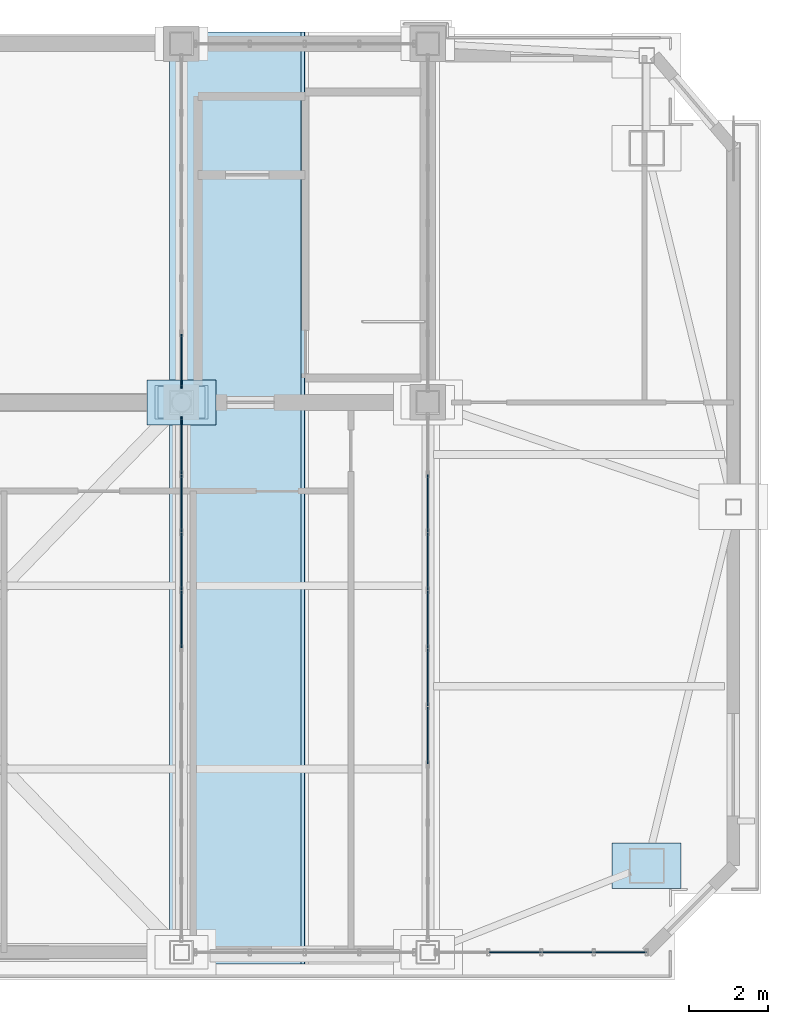
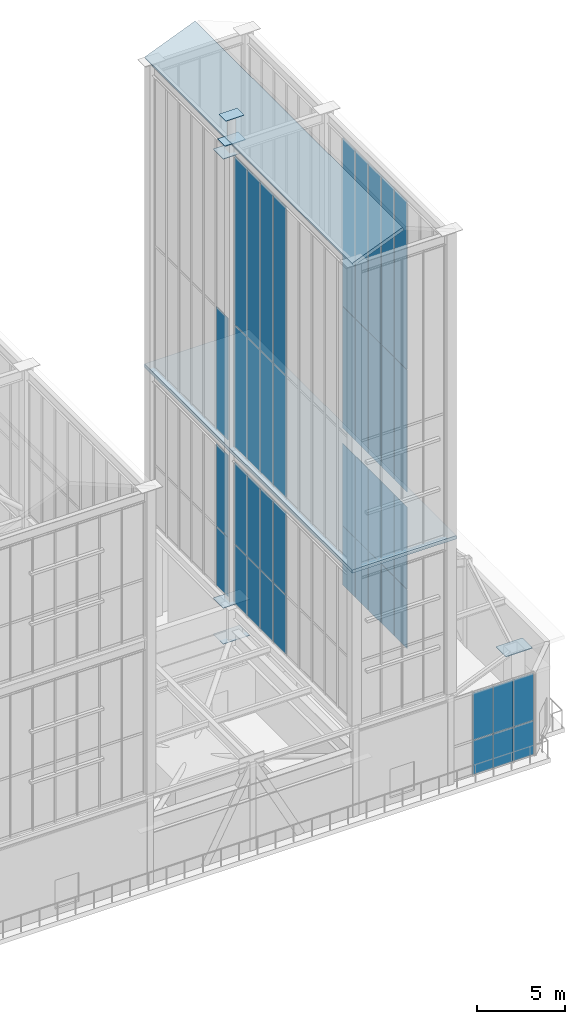
# One storey, part 128 of 135: 51 plates, 2 slabs, 7 elements without a shape of their own.
"""IFC4 building model written with IfcOpenShell, lengths in metres."""

from ifc_helpers import new_model, si_unit, direction, frame, origin, origin_2d, place, context, subcontext, project, spatial, polyline, rectangle, outline, extrude, source, transform, mapped, material, layer, layer_set, type_object, element, aggregate, save


model = new_model("IFC4")

# Units and contexts
model_context = context("Model", 3, precision=1e-05, world=origin(), true_north=direction((0.0, 1.0)))
body_context = subcontext(model_context, "Body", "Model", "MODEL_VIEW")
ifc_project = project(units=[si_unit("LENGTHUNIT", "METRE"), si_unit("AREAUNIT", "SQUARE_METRE"), si_unit("VOLUMEUNIT", "CUBIC_METRE"), si_unit("PLANEANGLEUNIT", "RADIAN"), si_unit("MASSUNIT", "GRAM", prefix="KILO")], contexts=[model_context])

# Site, building, storey
site_placement = place(None, origin())
site = spatial("IfcSite", under=ifc_project, at=site_placement, CompositionType="ELEMENT")
building_placement = place(site_placement, origin())
building = spatial("IfcBuilding", under=site, at=building_placement, Name="Giltprow Tower", CompositionType="ELEMENT")
storey_placement = place(building_placement, frame((0.0, 0.0, 352.699951171875)))
storey = spatial("IfcBuildingStorey", under=building, at=storey_placement, Name="L92", CompositionType="ELEMENT", Elevation=352.699951171875)

# Slabs
ifc_material_1 = material(Name="Concrete C40", Category="concrete")
ifc_layer_1 = layer(ifc_material_1, 0.239990234375, Name="Concrete C40")
ifc_layer_set_1 = layer_set([ifc_layer_1], Name="Concrete C40")
slab_type_1 = type_object("IfcSlabType", Name="SLB-CRN-DECK-240", PredefinedType="USERDEFINED", material=ifc_layer_set_1)
slab_1_placement = place(storey_placement, frame((0.0, 0.0, 17.06005859375)))
element("IfcSlab", 1, at=slab_1_placement, inside=storey, type_object=slab_type_1, Name="Crown East Lantern Plant Deck", ObjectType="PLANT_DECK", PredefinedType="USERDEFINED", context=body_context, shape_type="SweptSolid", body=[
    extrude(outline(polyline([(44.0, 23.199951171875), (50.85009765625, 23.199951171875), (50.85009765625, 46.85009765625), (44.0, 46.85009765625), (44.0, 23.199951171875)])), origin(), (0.0, 0.0, 1.0), 0.239990234375),
])
ifc_layer_2 = layer(ifc_material_1, 0.25, Name="Concrete C40")
ifc_layer_set_2 = layer_set([ifc_layer_2], Name="Concrete C40")
slab_type_2 = type_object("IfcSlabType", Name="SLB-CRN-ROOF-250", PredefinedType="ROOF", material=ifc_layer_set_2)
slab_2_placement = place(storey_placement, frame((44.0, 23.199951171875, 38.615966796875), z_axis=(-0.374567672974, 0.0, 0.927199578496), x_axis=(0.927199578496, 0.0, 0.374567672974)))
element("IfcSlab", 2, at=slab_2_placement, inside=storey, type_object=slab_type_2, Name="Crown East Pitched Roof Slab West", PredefinedType="ROOF", context=body_context, shape_type="SweptSolid", body=[
    extrude(outline(polyline([(0.0, 0.0), (3.588121019503059, 0.0), (3.588121019503059, 23.650146484375), (0.0, 23.650146484375), (0.0, 0.0)])), origin(), (0.0, 0.0, -1.0), 0.25),
])

# Plates
ifc_material_2 = material(Name="Structural steel Q420GJC", Category="steel")
plate_type_1 = type_object("IfcPlateType", Name="PLT-CAP-SEAL-INT", PredefinedType="USERDEFINED", material=ifc_material_2)
shared_shape_1 = source(origin(), body_context, "Body", "SweptSolid", [
    extrude(rectangle(XDim=1.75, YDim=1.14990234375, at=origin_2d()), origin(), (0.0, 0.0, 1.0), 0.0400390625),
])
for number, where, z_axis, x_axis, name in (
    (3, (56.10009765625, 25.699951171875, 6.14013671875), (0.0, 0.0, 1.0), (1.0, 0.0, 0.0), "L92 Column Top Seal Plate MC_SE"),
    (4, (44.300048828125, 37.449951171875, 4.030029296875), (0.0, 0.0, 1.0), (1.0, 0.0, 0.0), "TMD Strut Upper Seal 3"),
    (5, (44.300048828125, 37.449951171875, 6.530029296875), (0.0, 0.0, 1.0), (1.0, 0.0, 0.0), "Crown Brace Lower Seal Plate EAST-1"),
    (6, (44.300048828125, 37.449951171875, 37.74609375), (0.0, 0.0, 1.0), (1.0, 0.0, 0.0), "Crown Brace Upper Seal Plate EAST-2"),
):
    element("IfcPlate", number, at=place(storey_placement, frame(where, z_axis=z_axis, x_axis=x_axis)), inside=storey, type_object=plate_type_1, Name=name, ObjectType="SPLICE", PredefinedType="USERDEFINED", context=body_context, shape_type="MappedRepresentation", body=[
        mapped(shared_shape_1, transform((0.0, 0.0, 0.0), x_axis=(1.0, 0.0, 0.0), y_axis=(0.0, 1.0, 0.0), z_axis=(0.0, 0.0, 1.0), scale=1.0)),
    ])
plate_type_2 = type_object("IfcPlateType", Name="PLT-CAP-SEAL", PredefinedType="USERDEFINED", material=ifc_material_2)
shared_shape_2 = source(origin(), body_context, "Body", "SweptSolid", [
    extrude(rectangle(XDim=1.199951171875, YDim=0.800048828125, at=origin_2d()), origin(), (0.0, 0.0, 1.0), 0.034912109375),
])
plate_1_placement = place(storey_placement, frame((44.300048828125, 37.449951171875, 40.1826171875), z_axis=(0.0, 0.0, 1.0), x_axis=(1.0, 0.0, 0.0)))
element("IfcPlate", 7, at=plate_1_placement, inside=storey, type_object=plate_type_2, Name="Crown Finial Mast Top Cap Plate", ObjectType="SPLICE", PredefinedType="USERDEFINED", context=body_context, shape_type="MappedRepresentation", body=[
    mapped(shared_shape_2, transform((0.0, 0.0, 0.0), x_axis=(1.0, 0.0, 0.0), y_axis=(0.0, 1.0, 0.0), z_axis=(0.0, 0.0, 1.0), scale=1.0)),
])
plate_type_3 = type_object("IfcPlateType", Name="PLT-NODE-CRN1", PredefinedType="USERDEFINED", material=ifc_material_2)
shared_shape_3 = source(origin(), body_context, "Body", "SweptSolid", [
    extrude(rectangle(XDim=1.35009765625, YDim=0.85009765625, at=origin_2d()), origin(), (0.0, 0.0, 1.0), 0.035888671875),
])
plate_2_placement = place(storey_placement, frame((44.300048828125, 37.449951171875, 38.47802734375), z_axis=(0.0, 0.0, 1.0), x_axis=(1.0, 0.0, 0.0)))
element("IfcPlate", 8, at=plate_2_placement, inside=storey, type_object=plate_type_3, Name="CRN1 Crown Frame Ring Node EAST-6", ObjectType="SPLICE", PredefinedType="USERDEFINED", context=body_context, shape_type="MappedRepresentation", body=[
    mapped(shared_shape_3, transform((0.0, 0.0, 0.0), x_axis=(1.0, 0.0, 0.0), y_axis=(0.0, 1.0, 0.0), z_axis=(0.0, 0.0, 1.0), scale=1.0)),
])

# Curtain wall, plates
ifc_material_3 = material(Name="Anodized bronze", Category="metal")
ifc_layer_3 = layer(ifc_material_3, 0.179931640625, Name="Anodized bronze")
ifc_layer_set_3 = layer_set([ifc_layer_3], Name="Anodized bronze")
curtain_wall_type = type_object("IfcCurtainWallType", Name="CW-CROWN-LANTERN", PredefinedType="NOTDEFINED", material=ifc_layer_set_3)
curtain_wall_1_placement = place(storey_placement, origin())
curtain_wall_1 = element("IfcCurtainWall", 9, at=curtain_wall_1_placement, inside=storey, type_object=curtain_wall_type, Name="L92 South Recessed Curtain Wall 6", PredefinedType="NOTDEFINED")
ifc_material_4 = material(Name="Insulated glass", Category="glass")
plate_type_4 = type_object("IfcPlateType", Name="CW-PANEL-IGU-28", PredefinedType="CURTAIN_PANEL", material=ifc_material_4)
shared_shape_4 = source(origin(), body_context, "Body", "SweptSolid", [
    extrude(rectangle(XDim=1.306884765625, YDim=0.028076171875, at=origin_2d()), origin(), (0.0, 0.0, 1.0), 2.364013671875),
])
plate_3_placement = place(storey_placement, frame((54.093994140625, 23.5, 0.05419921875), z_axis=(0.0, 0.0, 1.0), x_axis=(1.0, 0.0, 0.0)))
plate_3 = element("IfcPlate", 10, at=plate_3_placement, type_object=plate_type_4, Name="L92 South Recessed Curtain Wall 6 Glazing Panel 3-1", PredefinedType="CURTAIN_PANEL", context=body_context, shape_type="MappedRepresentation", body=[
    mapped(shared_shape_4, transform((0.0, 0.0, 0.0), x_axis=(1.0, 0.0, 0.0), y_axis=(0.0, 1.0, 0.0), z_axis=(0.0, 0.0, 1.0), scale=1.0)),
])
plate_4_placement = place(storey_placement, frame((55.430908203125, 23.5, 0.05419921875), z_axis=(0.0, 0.0, 1.0), x_axis=(1.0, 0.0, 0.0)))
plate_4 = element("IfcPlate", 11, at=plate_4_placement, type_object=plate_type_4, Name="L92 South Recessed Curtain Wall 6 Glazing Panel 4-1", PredefinedType="CURTAIN_PANEL", context=body_context, shape_type="MappedRepresentation", body=[
    mapped(shared_shape_4, transform((0.0, 0.0, 0.0), x_axis=(1.0, 0.0, 0.0), y_axis=(0.0, 1.0, 0.0), z_axis=(0.0, 0.0, 1.0), scale=1.0)),
])
shared_shape_5 = source(origin(), body_context, "Body", "SweptSolid", [
    extrude(rectangle(XDim=1.306884765625, YDim=0.028076171875, at=origin_2d()), origin(), (0.0, 0.0, 1.0), 3.2900390625),
])
plate_5_placement = place(storey_placement, frame((54.093994140625, 23.5, 2.446044921875), z_axis=(0.0, 0.0, 1.0), x_axis=(1.0, 0.0, 0.0)))
plate_5 = element("IfcPlate", 12, at=plate_5_placement, type_object=plate_type_4, Name="L92 South Recessed Curtain Wall 6 Glazing Panel 3-2", PredefinedType="CURTAIN_PANEL", context=body_context, shape_type="MappedRepresentation", body=[
    mapped(shared_shape_5, transform((0.0, 0.0, 0.0), x_axis=(1.0, 0.0, 0.0), y_axis=(0.0, 1.0, 0.0), z_axis=(0.0, 0.0, 1.0), scale=1.0)),
])
plate_6_placement = place(storey_placement, frame((55.430908203125, 23.5, 2.446044921875), z_axis=(0.0, 0.0, 1.0), x_axis=(1.0, 0.0, 0.0)))
plate_6 = element("IfcPlate", 13, at=plate_6_placement, type_object=plate_type_4, Name="L92 South Recessed Curtain Wall 6 Glazing Panel 4-2", PredefinedType="CURTAIN_PANEL", context=body_context, shape_type="MappedRepresentation", body=[
    mapped(shared_shape_5, transform((0.0, 0.0, 0.0), x_axis=(1.0, 0.0, 0.0), y_axis=(0.0, 1.0, 0.0), z_axis=(0.0, 0.0, 1.0), scale=1.0)),
])
shared_shape_6 = source(origin(), body_context, "Body", "SweptSolid", [
    extrude(rectangle(XDim=1.30810546875, YDim=0.028076171875, at=origin_2d()), origin(), (0.0, 0.0, 1.0), 2.364013671875),
])
plate_7_placement = place(storey_placement, frame((52.756103515625, 23.5, 0.05419921875), z_axis=(0.0, 0.0, 1.0), x_axis=(1.0, 0.0, 0.0)))
plate_7 = element("IfcPlate", 14, at=plate_7_placement, type_object=plate_type_4, Name="L92 South Recessed Curtain Wall 6 Glazing Panel 2-1", PredefinedType="CURTAIN_PANEL", context=body_context, shape_type="MappedRepresentation", body=[
    mapped(shared_shape_6, transform((0.0, 0.0, 0.0), x_axis=(1.0, 0.0, 0.0), y_axis=(0.0, 1.0, 0.0), z_axis=(0.0, 0.0, 1.0), scale=1.0)),
])
shared_shape_7 = source(origin(), body_context, "Body", "SweptSolid", [
    extrude(rectangle(XDim=1.30810546875, YDim=0.028076171875, at=origin_2d()), origin(), (0.0, 0.0, 1.0), 3.2900390625),
])
plate_8_placement = place(storey_placement, frame((52.756103515625, 23.5, 2.446044921875), z_axis=(0.0, 0.0, 1.0), x_axis=(1.0, 0.0, 0.0)))
plate_8 = element("IfcPlate", 15, at=plate_8_placement, type_object=plate_type_4, Name="L92 South Recessed Curtain Wall 6 Glazing Panel 2-2", PredefinedType="CURTAIN_PANEL", context=body_context, shape_type="MappedRepresentation", body=[
    mapped(shared_shape_7, transform((0.0, 0.0, 0.0), x_axis=(1.0, 0.0, 0.0), y_axis=(0.0, 1.0, 0.0), z_axis=(0.0, 0.0, 1.0), scale=1.0)),
])
aggregate(curtain_wall_1, [plate_7, plate_8, plate_3, plate_5, plate_4, plate_6])

curtain_wall_2_placement = place(storey_placement, origin())
curtain_wall_2 = element("IfcCurtainWall", 16, at=curtain_wall_2_placement, inside=storey, type_object=curtain_wall_type, Name="Crown East Lower Lantern Glazing 2", PredefinedType="NOTDEFINED")
shared_shape_8 = source(origin(), body_context, "Body", "SweptSolid", [
    extrude(rectangle(XDim=1.44189453125, YDim=0.028076171875, at=origin_2d()), origin(), (0.0, 0.0, 1.0), 4.111083984375),
])
plate_9_placement = place(storey_placement, frame((50.550048828125, 29.0029296875, 6.45361328125), z_axis=(0.0, 0.0, 1.0), x_axis=(0.0, 1.0, 0.0)))
plate_9 = element("IfcPlate", 17, at=plate_9_placement, type_object=plate_type_4, Name="Crown East Lower Lantern Glazing 2 Glazing Panel 4-1", PredefinedType="CURTAIN_PANEL", context=body_context, shape_type="MappedRepresentation", body=[
    mapped(shared_shape_8, transform((0.0, 0.0, 0.0), x_axis=(1.0, 0.0, 0.0), y_axis=(0.0, 1.0, 0.0), z_axis=(0.0, 0.0, 1.0), scale=1.0)),
])
plate_10_placement = place(storey_placement, frame((50.550048828125, 30.47509765625, 6.45361328125), z_axis=(0.0, 0.0, 1.0), x_axis=(0.0, 1.0, 0.0)))
plate_10 = element("IfcPlate", 18, at=plate_10_placement, type_object=plate_type_4, Name="Crown East Lower Lantern Glazing 2 Glazing Panel 5-1", PredefinedType="CURTAIN_PANEL", context=body_context, shape_type="MappedRepresentation", body=[
    mapped(shared_shape_8, transform((0.0, 0.0, 0.0), x_axis=(1.0, 0.0, 0.0), y_axis=(0.0, 1.0, 0.0), z_axis=(0.0, 0.0, 1.0), scale=1.0)),
])
plate_11_placement = place(storey_placement, frame((50.550048828125, 31.947021484375, 6.45361328125), z_axis=(0.0, 0.0, 1.0), x_axis=(0.0, 1.0, 0.0)))
plate_11 = element("IfcPlate", 19, at=plate_11_placement, type_object=plate_type_4, Name="Crown East Lower Lantern Glazing 2 Glazing Panel 6-1", PredefinedType="CURTAIN_PANEL", context=body_context, shape_type="MappedRepresentation", body=[
    mapped(shared_shape_8, transform((0.0, 0.0, 0.0), x_axis=(1.0, 0.0, 0.0), y_axis=(0.0, 1.0, 0.0), z_axis=(0.0, 0.0, 1.0), scale=1.0)),
])
plate_12_placement = place(storey_placement, frame((50.550048828125, 33.4189453125, 6.45361328125), z_axis=(0.0, 0.0, 1.0), x_axis=(0.0, 1.0, 0.0)))
plate_12 = element("IfcPlate", 20, at=plate_12_placement, type_object=plate_type_4, Name="Crown East Lower Lantern Glazing 2 Glazing Panel 7-1", PredefinedType="CURTAIN_PANEL", context=body_context, shape_type="MappedRepresentation", body=[
    mapped(shared_shape_8, transform((0.0, 0.0, 0.0), x_axis=(1.0, 0.0, 0.0), y_axis=(0.0, 1.0, 0.0), z_axis=(0.0, 0.0, 1.0), scale=1.0)),
])
plate_13_placement = place(storey_placement, frame((50.550048828125, 34.89208984375, 6.45361328125), z_axis=(0.0, 0.0, 1.0), x_axis=(0.0, 1.0, 0.0)))
plate_13 = element("IfcPlate", 21, at=plate_13_placement, type_object=plate_type_4, Name="Crown East Lower Lantern Glazing 2 Glazing Panel 8-1", PredefinedType="CURTAIN_PANEL", context=body_context, shape_type="MappedRepresentation", body=[
    mapped(shared_shape_8, transform((0.0, 0.0, 0.0), x_axis=(1.0, 0.0, 0.0), y_axis=(0.0, 1.0, 0.0), z_axis=(0.0, 0.0, 1.0), scale=1.0)),
])

curtain_wall_3_placement = place(storey_placement, origin())
curtain_wall_3 = element("IfcCurtainWall", 22, at=curtain_wall_3_placement, inside=storey, type_object=curtain_wall_type, Name="Crown East Lower Lantern Glazing 6", PredefinedType="NOTDEFINED")
plate_14_placement = place(storey_placement, frame((44.300048828125, 36.364013671875, 6.45361328125), z_axis=(0.0, 0.0, 1.0), x_axis=(0.0, -1.0, 0.0)))
plate_14 = element("IfcPlate", 23, at=plate_14_placement, type_object=plate_type_4, Name="Crown East Lower Lantern Glazing 6 Glazing Panel 1-1", PredefinedType="CURTAIN_PANEL", context=body_context, shape_type="MappedRepresentation", body=[
    mapped(shared_shape_8, transform((0.0, 0.0, 0.0), x_axis=(1.0, 0.0, 0.0), y_axis=(0.0, 1.0, 0.0), z_axis=(0.0, 0.0, 1.0), scale=1.0)),
])
plate_15_placement = place(storey_placement, frame((44.300048828125, 34.89208984375, 6.45361328125), z_axis=(0.0, 0.0, 1.0), x_axis=(0.0, -1.0, 0.0)))
plate_15 = element("IfcPlate", 24, at=plate_15_placement, type_object=plate_type_4, Name="Crown East Lower Lantern Glazing 6 Glazing Panel 2-1", PredefinedType="CURTAIN_PANEL", context=body_context, shape_type="MappedRepresentation", body=[
    mapped(shared_shape_8, transform((0.0, 0.0, 0.0), x_axis=(1.0, 0.0, 0.0), y_axis=(0.0, 1.0, 0.0), z_axis=(0.0, 0.0, 1.0), scale=1.0)),
])
plate_16_placement = place(storey_placement, frame((44.300048828125, 33.4189453125, 6.45361328125), z_axis=(0.0, 0.0, 1.0), x_axis=(0.0, -1.0, 0.0)))
plate_16 = element("IfcPlate", 25, at=plate_16_placement, type_object=plate_type_4, Name="Crown East Lower Lantern Glazing 6 Glazing Panel 3-1", PredefinedType="CURTAIN_PANEL", context=body_context, shape_type="MappedRepresentation", body=[
    mapped(shared_shape_8, transform((0.0, 0.0, 0.0), x_axis=(1.0, 0.0, 0.0), y_axis=(0.0, 1.0, 0.0), z_axis=(0.0, 0.0, 1.0), scale=1.0)),
])
plate_17_placement = place(storey_placement, frame((44.300048828125, 31.947021484375, 6.45361328125), z_axis=(0.0, 0.0, 1.0), x_axis=(0.0, -1.0, 0.0)))
plate_17 = element("IfcPlate", 26, at=plate_17_placement, type_object=plate_type_4, Name="Crown East Lower Lantern Glazing 6 Glazing Panel 4-1", PredefinedType="CURTAIN_PANEL", context=body_context, shape_type="MappedRepresentation", body=[
    mapped(shared_shape_8, transform((0.0, 0.0, 0.0), x_axis=(1.0, 0.0, 0.0), y_axis=(0.0, 1.0, 0.0), z_axis=(0.0, 0.0, 1.0), scale=1.0)),
])

# Plate
shared_shape_9 = source(origin(), body_context, "Body", "SweptSolid", [
    extrude(rectangle(XDim=1.44189453125, YDim=0.028076171875, at=origin_2d()), origin(), (0.0, 0.0, 1.0), 5.702880859375),
])
plate_18_placement = place(storey_placement, frame((50.550048828125, 29.0029296875, 10.5927734375), z_axis=(0.0, 0.0, 1.0), x_axis=(0.0, 1.0, 0.0)))
plate_18 = element("IfcPlate", 27, at=plate_18_placement, type_object=plate_type_4, Name="Crown East Lower Lantern Glazing 2 Glazing Panel 4-2", PredefinedType="CURTAIN_PANEL", context=body_context, shape_type="MappedRepresentation", body=[
    mapped(shared_shape_9, transform((0.0, 0.0, 0.0), x_axis=(1.0, 0.0, 0.0), y_axis=(0.0, 1.0, 0.0), z_axis=(0.0, 0.0, 1.0), scale=1.0)),
])

plate_19_placement = place(storey_placement, frame((50.550048828125, 30.47509765625, 10.5927734375), z_axis=(0.0, 0.0, 1.0), x_axis=(0.0, 1.0, 0.0)))
plate_19 = element("IfcPlate", 28, at=plate_19_placement, type_object=plate_type_4, Name="Crown East Lower Lantern Glazing 2 Glazing Panel 5-2", PredefinedType="CURTAIN_PANEL", context=body_context, shape_type="MappedRepresentation", body=[
    mapped(shared_shape_9, transform((0.0, 0.0, 0.0), x_axis=(1.0, 0.0, 0.0), y_axis=(0.0, 1.0, 0.0), z_axis=(0.0, 0.0, 1.0), scale=1.0)),
])

plate_20_placement = place(storey_placement, frame((50.550048828125, 31.947021484375, 10.5927734375), z_axis=(0.0, 0.0, 1.0), x_axis=(0.0, 1.0, 0.0)))
plate_20 = element("IfcPlate", 29, at=plate_20_placement, type_object=plate_type_4, Name="Crown East Lower Lantern Glazing 2 Glazing Panel 6-2", PredefinedType="CURTAIN_PANEL", context=body_context, shape_type="MappedRepresentation", body=[
    mapped(shared_shape_9, transform((0.0, 0.0, 0.0), x_axis=(1.0, 0.0, 0.0), y_axis=(0.0, 1.0, 0.0), z_axis=(0.0, 0.0, 1.0), scale=1.0)),
])

plate_21_placement = place(storey_placement, frame((50.550048828125, 33.4189453125, 10.5927734375), z_axis=(0.0, 0.0, 1.0), x_axis=(0.0, 1.0, 0.0)))
plate_21 = element("IfcPlate", 30, at=plate_21_placement, type_object=plate_type_4, Name="Crown East Lower Lantern Glazing 2 Glazing Panel 7-2", PredefinedType="CURTAIN_PANEL", context=body_context, shape_type="MappedRepresentation", body=[
    mapped(shared_shape_9, transform((0.0, 0.0, 0.0), x_axis=(1.0, 0.0, 0.0), y_axis=(0.0, 1.0, 0.0), z_axis=(0.0, 0.0, 1.0), scale=1.0)),
])

plate_22_placement = place(storey_placement, frame((50.550048828125, 34.89208984375, 10.5927734375), z_axis=(0.0, 0.0, 1.0), x_axis=(0.0, 1.0, 0.0)))
plate_22 = element("IfcPlate", 31, at=plate_22_placement, type_object=plate_type_4, Name="Crown East Lower Lantern Glazing 2 Glazing Panel 8-2", PredefinedType="CURTAIN_PANEL", context=body_context, shape_type="MappedRepresentation", body=[
    mapped(shared_shape_9, transform((0.0, 0.0, 0.0), x_axis=(1.0, 0.0, 0.0), y_axis=(0.0, 1.0, 0.0), z_axis=(0.0, 0.0, 1.0), scale=1.0)),
])

aggregate(curtain_wall_2, [plate_9, plate_18, plate_10, plate_19, plate_11, plate_20, plate_12, plate_21, plate_13, plate_22])

plate_23_placement = place(storey_placement, frame((44.300048828125, 36.364013671875, 10.5927734375), z_axis=(0.0, 0.0, 1.0), x_axis=(0.0, -1.0, 0.0)))
plate_23 = element("IfcPlate", 32, at=plate_23_placement, type_object=plate_type_4, Name="Crown East Lower Lantern Glazing 6 Glazing Panel 1-2", PredefinedType="CURTAIN_PANEL", context=body_context, shape_type="MappedRepresentation", body=[
    mapped(shared_shape_9, transform((0.0, 0.0, 0.0), x_axis=(1.0, 0.0, 0.0), y_axis=(0.0, 1.0, 0.0), z_axis=(0.0, 0.0, 1.0), scale=1.0)),
])

plate_24_placement = place(storey_placement, frame((44.300048828125, 34.89208984375, 10.5927734375), z_axis=(0.0, 0.0, 1.0), x_axis=(0.0, -1.0, 0.0)))
plate_24 = element("IfcPlate", 33, at=plate_24_placement, type_object=plate_type_4, Name="Crown East Lower Lantern Glazing 6 Glazing Panel 2-2", PredefinedType="CURTAIN_PANEL", context=body_context, shape_type="MappedRepresentation", body=[
    mapped(shared_shape_9, transform((0.0, 0.0, 0.0), x_axis=(1.0, 0.0, 0.0), y_axis=(0.0, 1.0, 0.0), z_axis=(0.0, 0.0, 1.0), scale=1.0)),
])

plate_25_placement = place(storey_placement, frame((44.300048828125, 33.4189453125, 10.5927734375), z_axis=(0.0, 0.0, 1.0), x_axis=(0.0, -1.0, 0.0)))
plate_25 = element("IfcPlate", 34, at=plate_25_placement, type_object=plate_type_4, Name="Crown East Lower Lantern Glazing 6 Glazing Panel 3-2", PredefinedType="CURTAIN_PANEL", context=body_context, shape_type="MappedRepresentation", body=[
    mapped(shared_shape_9, transform((0.0, 0.0, 0.0), x_axis=(1.0, 0.0, 0.0), y_axis=(0.0, 1.0, 0.0), z_axis=(0.0, 0.0, 1.0), scale=1.0)),
])

plate_26_placement = place(storey_placement, frame((44.300048828125, 31.947021484375, 10.5927734375), z_axis=(0.0, 0.0, 1.0), x_axis=(0.0, -1.0, 0.0)))
plate_26 = element("IfcPlate", 35, at=plate_26_placement, type_object=plate_type_4, Name="Crown East Lower Lantern Glazing 6 Glazing Panel 4-2", PredefinedType="CURTAIN_PANEL", context=body_context, shape_type="MappedRepresentation", body=[
    mapped(shared_shape_9, transform((0.0, 0.0, 0.0), x_axis=(1.0, 0.0, 0.0), y_axis=(0.0, 1.0, 0.0), z_axis=(0.0, 0.0, 1.0), scale=1.0)),
])

aggregate(curtain_wall_3, [plate_14, plate_23, plate_15, plate_24, plate_16, plate_25, plate_17, plate_26])

# Curtain wall, plates
curtain_wall_4_placement = place(storey_placement, origin())
curtain_wall_4 = element("IfcCurtainWall", 36, at=curtain_wall_4_placement, inside=storey, type_object=curtain_wall_type, Name="Crown East Lower Lantern Glazing 5", PredefinedType="NOTDEFINED")
shared_shape_10 = source(origin(), body_context, "Body", "SweptSolid", [
    extrude(rectangle(XDim=1.3701171875, YDim=0.028076171875, at=origin_2d()), origin(), (0.0, 0.0, 1.0), 4.111083984375),
])
plate_27_placement = place(storey_placement, frame((44.300048828125, 38.5, 6.45361328125), z_axis=(0.0, 0.0, 1.0), x_axis=(0.0, -1.0, 0.0)))
plate_27 = element("IfcPlate", 37, at=plate_27_placement, type_object=plate_type_4, Name="Crown East Lower Lantern Glazing 5 Glazing Panel 6-1", PredefinedType="CURTAIN_PANEL", context=body_context, shape_type="MappedRepresentation", body=[
    mapped(shared_shape_10, transform((0.0, 0.0, 0.0), x_axis=(1.0, 0.0, 0.0), y_axis=(0.0, 1.0, 0.0), z_axis=(0.0, 0.0, 1.0), scale=1.0)),
])
shared_shape_11 = source(origin(), body_context, "Body", "SweptSolid", [
    extrude(rectangle(XDim=1.3701171875, YDim=0.028076171875, at=origin_2d()), origin(), (0.0, 0.0, 1.0), 5.702880859375),
])
plate_28_placement = place(storey_placement, frame((44.300048828125, 38.5, 10.5927734375), z_axis=(0.0, 0.0, 1.0), x_axis=(0.0, -1.0, 0.0)))
plate_28 = element("IfcPlate", 38, at=plate_28_placement, type_object=plate_type_4, Name="Crown East Lower Lantern Glazing 5 Glazing Panel 6-2", PredefinedType="CURTAIN_PANEL", context=body_context, shape_type="MappedRepresentation", body=[
    mapped(shared_shape_11, transform((0.0, 0.0, 0.0), x_axis=(1.0, 0.0, 0.0), y_axis=(0.0, 1.0, 0.0), z_axis=(0.0, 0.0, 1.0), scale=1.0)),
])
aggregate(curtain_wall_4, [plate_27, plate_28])

curtain_wall_5_placement = place(storey_placement, origin())
curtain_wall_5 = element("IfcCurtainWall", 39, at=curtain_wall_5_placement, inside=storey, type_object=curtain_wall_type, Name="Crown East Upper Lantern Glazing 2", PredefinedType="NOTDEFINED")
shared_shape_12 = source(origin(), body_context, "Body", "SweptSolid", [
    extrude(rectangle(XDim=1.44189453125, YDim=0.028076171875, at=origin_2d()), origin(), (0.0, 0.0, 1.0), 8.465087890625),
])
plate_29_placement = place(storey_placement, frame((50.550048828125, 29.0029296875, 17.3544921875), z_axis=(0.0, 0.0, 1.0), x_axis=(0.0, 1.0, 0.0)))
plate_29 = element("IfcPlate", 40, at=plate_29_placement, type_object=plate_type_4, Name="Crown East Upper Lantern Glazing 2 Glazing Panel 4-1", PredefinedType="CURTAIN_PANEL", context=body_context, shape_type="MappedRepresentation", body=[
    mapped(shared_shape_12, transform((0.0, 0.0, 0.0), x_axis=(1.0, 0.0, 0.0), y_axis=(0.0, 1.0, 0.0), z_axis=(0.0, 0.0, 1.0), scale=1.0)),
])
plate_30_placement = place(storey_placement, frame((50.550048828125, 30.47509765625, 17.3544921875), z_axis=(0.0, 0.0, 1.0), x_axis=(0.0, 1.0, 0.0)))
plate_30 = element("IfcPlate", 41, at=plate_30_placement, type_object=plate_type_4, Name="Crown East Upper Lantern Glazing 2 Glazing Panel 5-1", PredefinedType="CURTAIN_PANEL", context=body_context, shape_type="MappedRepresentation", body=[
    mapped(shared_shape_12, transform((0.0, 0.0, 0.0), x_axis=(1.0, 0.0, 0.0), y_axis=(0.0, 1.0, 0.0), z_axis=(0.0, 0.0, 1.0), scale=1.0)),
])
plate_31_placement = place(storey_placement, frame((50.550048828125, 31.947021484375, 17.3544921875), z_axis=(0.0, 0.0, 1.0), x_axis=(0.0, 1.0, 0.0)))
plate_31 = element("IfcPlate", 42, at=plate_31_placement, type_object=plate_type_4, Name="Crown East Upper Lantern Glazing 2 Glazing Panel 6-1", PredefinedType="CURTAIN_PANEL", context=body_context, shape_type="MappedRepresentation", body=[
    mapped(shared_shape_12, transform((0.0, 0.0, 0.0), x_axis=(1.0, 0.0, 0.0), y_axis=(0.0, 1.0, 0.0), z_axis=(0.0, 0.0, 1.0), scale=1.0)),
])
plate_32_placement = place(storey_placement, frame((50.550048828125, 33.4189453125, 17.3544921875), z_axis=(0.0, 0.0, 1.0), x_axis=(0.0, 1.0, 0.0)))
plate_32 = element("IfcPlate", 43, at=plate_32_placement, type_object=plate_type_4, Name="Crown East Upper Lantern Glazing 2 Glazing Panel 7-1", PredefinedType="CURTAIN_PANEL", context=body_context, shape_type="MappedRepresentation", body=[
    mapped(shared_shape_12, transform((0.0, 0.0, 0.0), x_axis=(1.0, 0.0, 0.0), y_axis=(0.0, 1.0, 0.0), z_axis=(0.0, 0.0, 1.0), scale=1.0)),
])
plate_33_placement = place(storey_placement, frame((50.550048828125, 34.89208984375, 17.3544921875), z_axis=(0.0, 0.0, 1.0), x_axis=(0.0, 1.0, 0.0)))
plate_33 = element("IfcPlate", 44, at=plate_33_placement, type_object=plate_type_4, Name="Crown East Upper Lantern Glazing 2 Glazing Panel 8-1", PredefinedType="CURTAIN_PANEL", context=body_context, shape_type="MappedRepresentation", body=[
    mapped(shared_shape_12, transform((0.0, 0.0, 0.0), x_axis=(1.0, 0.0, 0.0), y_axis=(0.0, 1.0, 0.0), z_axis=(0.0, 0.0, 1.0), scale=1.0)),
])

curtain_wall_6_placement = place(storey_placement, origin())
curtain_wall_6 = element("IfcCurtainWall", 45, at=curtain_wall_6_placement, inside=storey, type_object=curtain_wall_type, Name="Crown East Upper Lantern Glazing 6", PredefinedType="NOTDEFINED")
plate_34_placement = place(storey_placement, frame((44.300048828125, 36.364013671875, 17.3544921875), z_axis=(0.0, 0.0, 1.0), x_axis=(0.0, -1.0, 0.0)))
plate_34 = element("IfcPlate", 46, at=plate_34_placement, type_object=plate_type_4, Name="Crown East Upper Lantern Glazing 6 Glazing Panel 1-1", PredefinedType="CURTAIN_PANEL", context=body_context, shape_type="MappedRepresentation", body=[
    mapped(shared_shape_12, transform((0.0, 0.0, 0.0), x_axis=(1.0, 0.0, 0.0), y_axis=(0.0, 1.0, 0.0), z_axis=(0.0, 0.0, 1.0), scale=1.0)),
])
plate_35_placement = place(storey_placement, frame((44.300048828125, 34.89208984375, 17.3544921875), z_axis=(0.0, 0.0, 1.0), x_axis=(0.0, -1.0, 0.0)))
plate_35 = element("IfcPlate", 47, at=plate_35_placement, type_object=plate_type_4, Name="Crown East Upper Lantern Glazing 6 Glazing Panel 2-1", PredefinedType="CURTAIN_PANEL", context=body_context, shape_type="MappedRepresentation", body=[
    mapped(shared_shape_12, transform((0.0, 0.0, 0.0), x_axis=(1.0, 0.0, 0.0), y_axis=(0.0, 1.0, 0.0), z_axis=(0.0, 0.0, 1.0), scale=1.0)),
])
plate_36_placement = place(storey_placement, frame((44.300048828125, 33.4189453125, 17.3544921875), z_axis=(0.0, 0.0, 1.0), x_axis=(0.0, -1.0, 0.0)))
plate_36 = element("IfcPlate", 48, at=plate_36_placement, type_object=plate_type_4, Name="Crown East Upper Lantern Glazing 6 Glazing Panel 3-1", PredefinedType="CURTAIN_PANEL", context=body_context, shape_type="MappedRepresentation", body=[
    mapped(shared_shape_12, transform((0.0, 0.0, 0.0), x_axis=(1.0, 0.0, 0.0), y_axis=(0.0, 1.0, 0.0), z_axis=(0.0, 0.0, 1.0), scale=1.0)),
])
plate_37_placement = place(storey_placement, frame((44.300048828125, 31.947021484375, 17.3544921875), z_axis=(0.0, 0.0, 1.0), x_axis=(0.0, -1.0, 0.0)))
plate_37 = element("IfcPlate", 49, at=plate_37_placement, type_object=plate_type_4, Name="Crown East Upper Lantern Glazing 6 Glazing Panel 4-1", PredefinedType="CURTAIN_PANEL", context=body_context, shape_type="MappedRepresentation", body=[
    mapped(shared_shape_12, transform((0.0, 0.0, 0.0), x_axis=(1.0, 0.0, 0.0), y_axis=(0.0, 1.0, 0.0), z_axis=(0.0, 0.0, 1.0), scale=1.0)),
])

# Plate
shared_shape_13 = source(origin(), body_context, "Body", "SweptSolid", [
    extrude(rectangle(XDim=1.44189453125, YDim=0.028076171875, at=origin_2d()), origin(), (0.0, 0.0, 1.0), 11.715087890625),
])
plate_38_placement = place(storey_placement, frame((50.550048828125, 29.0029296875, 25.8466796875), z_axis=(0.0, 0.0, 1.0), x_axis=(0.0, 1.0, 0.0)))
plate_38 = element("IfcPlate", 50, at=plate_38_placement, type_object=plate_type_4, Name="Crown East Upper Lantern Glazing 2 Glazing Panel 4-2", PredefinedType="CURTAIN_PANEL", context=body_context, shape_type="MappedRepresentation", body=[
    mapped(shared_shape_13, transform((0.0, 0.0, 0.0), x_axis=(1.0, 0.0, 0.0), y_axis=(0.0, 1.0, 0.0), z_axis=(0.0, 0.0, 1.0), scale=1.0)),
])

plate_39_placement = place(storey_placement, frame((50.550048828125, 30.47509765625, 25.8466796875), z_axis=(0.0, 0.0, 1.0), x_axis=(0.0, 1.0, 0.0)))
plate_39 = element("IfcPlate", 51, at=plate_39_placement, type_object=plate_type_4, Name="Crown East Upper Lantern Glazing 2 Glazing Panel 5-2", PredefinedType="CURTAIN_PANEL", context=body_context, shape_type="MappedRepresentation", body=[
    mapped(shared_shape_13, transform((0.0, 0.0, 0.0), x_axis=(1.0, 0.0, 0.0), y_axis=(0.0, 1.0, 0.0), z_axis=(0.0, 0.0, 1.0), scale=1.0)),
])

plate_40_placement = place(storey_placement, frame((50.550048828125, 31.947021484375, 25.8466796875), z_axis=(0.0, 0.0, 1.0), x_axis=(0.0, 1.0, 0.0)))
plate_40 = element("IfcPlate", 52, at=plate_40_placement, type_object=plate_type_4, Name="Crown East Upper Lantern Glazing 2 Glazing Panel 6-2", PredefinedType="CURTAIN_PANEL", context=body_context, shape_type="MappedRepresentation", body=[
    mapped(shared_shape_13, transform((0.0, 0.0, 0.0), x_axis=(1.0, 0.0, 0.0), y_axis=(0.0, 1.0, 0.0), z_axis=(0.0, 0.0, 1.0), scale=1.0)),
])

plate_41_placement = place(storey_placement, frame((50.550048828125, 33.4189453125, 25.8466796875), z_axis=(0.0, 0.0, 1.0), x_axis=(0.0, 1.0, 0.0)))
plate_41 = element("IfcPlate", 53, at=plate_41_placement, type_object=plate_type_4, Name="Crown East Upper Lantern Glazing 2 Glazing Panel 7-2", PredefinedType="CURTAIN_PANEL", context=body_context, shape_type="MappedRepresentation", body=[
    mapped(shared_shape_13, transform((0.0, 0.0, 0.0), x_axis=(1.0, 0.0, 0.0), y_axis=(0.0, 1.0, 0.0), z_axis=(0.0, 0.0, 1.0), scale=1.0)),
])

plate_42_placement = place(storey_placement, frame((50.550048828125, 34.89208984375, 25.8466796875), z_axis=(0.0, 0.0, 1.0), x_axis=(0.0, 1.0, 0.0)))
plate_42 = element("IfcPlate", 54, at=plate_42_placement, type_object=plate_type_4, Name="Crown East Upper Lantern Glazing 2 Glazing Panel 8-2", PredefinedType="CURTAIN_PANEL", context=body_context, shape_type="MappedRepresentation", body=[
    mapped(shared_shape_13, transform((0.0, 0.0, 0.0), x_axis=(1.0, 0.0, 0.0), y_axis=(0.0, 1.0, 0.0), z_axis=(0.0, 0.0, 1.0), scale=1.0)),
])

aggregate(curtain_wall_5, [plate_29, plate_38, plate_30, plate_39, plate_31, plate_40, plate_32, plate_41, plate_33, plate_42])

plate_43_placement = place(storey_placement, frame((44.300048828125, 36.364013671875, 25.8466796875), z_axis=(0.0, 0.0, 1.0), x_axis=(0.0, -1.0, 0.0)))
plate_43 = element("IfcPlate", 55, at=plate_43_placement, type_object=plate_type_4, Name="Crown East Upper Lantern Glazing 6 Glazing Panel 1-2", PredefinedType="CURTAIN_PANEL", context=body_context, shape_type="MappedRepresentation", body=[
    mapped(shared_shape_13, transform((0.0, 0.0, 0.0), x_axis=(1.0, 0.0, 0.0), y_axis=(0.0, 1.0, 0.0), z_axis=(0.0, 0.0, 1.0), scale=1.0)),
])

plate_44_placement = place(storey_placement, frame((44.300048828125, 34.89208984375, 25.8466796875), z_axis=(0.0, 0.0, 1.0), x_axis=(0.0, -1.0, 0.0)))
plate_44 = element("IfcPlate", 56, at=plate_44_placement, type_object=plate_type_4, Name="Crown East Upper Lantern Glazing 6 Glazing Panel 2-2", PredefinedType="CURTAIN_PANEL", context=body_context, shape_type="MappedRepresentation", body=[
    mapped(shared_shape_13, transform((0.0, 0.0, 0.0), x_axis=(1.0, 0.0, 0.0), y_axis=(0.0, 1.0, 0.0), z_axis=(0.0, 0.0, 1.0), scale=1.0)),
])

plate_45_placement = place(storey_placement, frame((44.300048828125, 33.4189453125, 25.8466796875), z_axis=(0.0, 0.0, 1.0), x_axis=(0.0, -1.0, 0.0)))
plate_45 = element("IfcPlate", 57, at=plate_45_placement, type_object=plate_type_4, Name="Crown East Upper Lantern Glazing 6 Glazing Panel 3-2", PredefinedType="CURTAIN_PANEL", context=body_context, shape_type="MappedRepresentation", body=[
    mapped(shared_shape_13, transform((0.0, 0.0, 0.0), x_axis=(1.0, 0.0, 0.0), y_axis=(0.0, 1.0, 0.0), z_axis=(0.0, 0.0, 1.0), scale=1.0)),
])

plate_46_placement = place(storey_placement, frame((44.300048828125, 31.947021484375, 25.8466796875), z_axis=(0.0, 0.0, 1.0), x_axis=(0.0, -1.0, 0.0)))
plate_46 = element("IfcPlate", 58, at=plate_46_placement, type_object=plate_type_4, Name="Crown East Upper Lantern Glazing 6 Glazing Panel 4-2", PredefinedType="CURTAIN_PANEL", context=body_context, shape_type="MappedRepresentation", body=[
    mapped(shared_shape_13, transform((0.0, 0.0, 0.0), x_axis=(1.0, 0.0, 0.0), y_axis=(0.0, 1.0, 0.0), z_axis=(0.0, 0.0, 1.0), scale=1.0)),
])

aggregate(curtain_wall_6, [plate_34, plate_43, plate_35, plate_44, plate_36, plate_45, plate_37, plate_46])

# Curtain wall, plate
curtain_wall_7_placement = place(storey_placement, origin())
curtain_wall_7 = element("IfcCurtainWall", 59, at=curtain_wall_7_placement, inside=storey, type_object=curtain_wall_type, Name="Crown East Upper Lantern Glazing 5", PredefinedType="NOTDEFINED")
shared_shape_14 = source(origin(), body_context, "Body", "SweptSolid", [
    extrude(rectangle(XDim=1.3701171875, YDim=0.028076171875, at=origin_2d()), origin(), (0.0, 0.0, 1.0), 8.465087890625),
])
plate_47_placement = place(storey_placement, frame((44.300048828125, 38.5, 17.3544921875), z_axis=(0.0, 0.0, 1.0), x_axis=(0.0, -1.0, 0.0)))
plate_47 = element("IfcPlate", 60, at=plate_47_placement, type_object=plate_type_4, Name="Crown East Upper Lantern Glazing 5 Glazing Panel 6-1", PredefinedType="CURTAIN_PANEL", context=body_context, shape_type="MappedRepresentation", body=[
    mapped(shared_shape_14, transform((0.0, 0.0, 0.0), x_axis=(1.0, 0.0, 0.0), y_axis=(0.0, 1.0, 0.0), z_axis=(0.0, 0.0, 1.0), scale=1.0)),
])
aggregate(curtain_wall_7, [plate_47])

save(model, "model.ifc")
